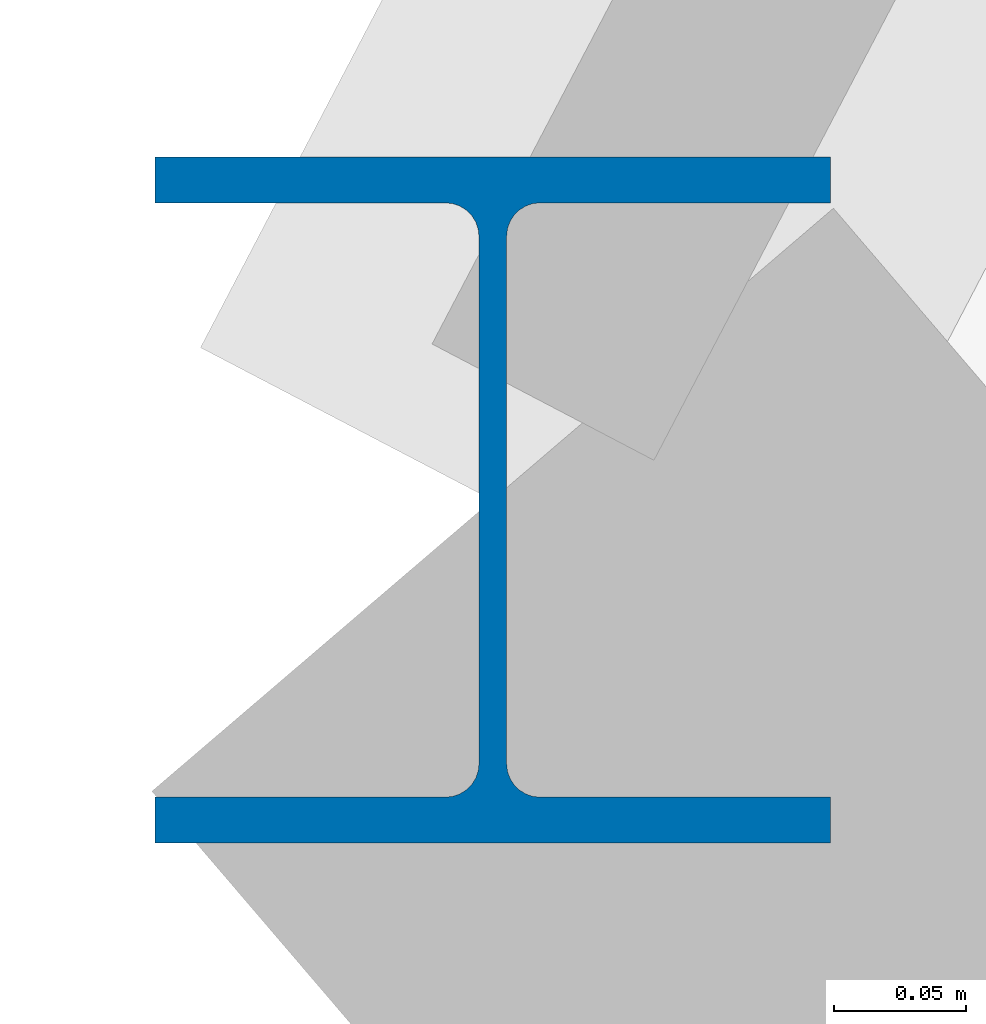
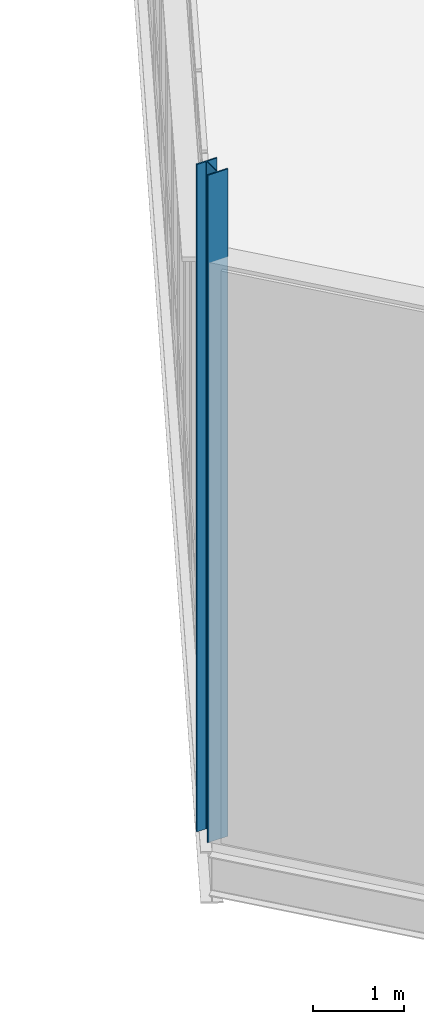
# One storey, part 3 of 66: 1 column.
"""IFC4 building model written with IfcOpenShell, lengths in metres."""

import ifcopenshell
import ifcopenshell.guid

model = None  # the IFC model being written
_history = None  # IfcOwnerHistory: only IFC2X3 demands one
_inside = {}  # id of a spatial element -> (the spatial element, [elements in it])
_under = {}  # id of a project, library or spatial element -> (it, [spatial elements below it])
_declared = {}  # id of a project -> (the project, [libraries it declares])
_typed = {}  # id of a type object -> (the type object, [elements of that type])
_made_of = {}  # id of a material, layer set ... -> (it, [elements and type objects made of it])


def new_model(schema):
    """Start an empty IFC model of exactly this schema.

    Asked for "IFC4X3", IfcOpenShell would pick the latest addendum, in which some entities
    have other attributes; the version numbers below select the first issue.
    IFC2X3 requires an IfcOwnerHistory on every rooted entity: one is made here for all.
    """
    global model, _history
    if schema == "IFC4X3":
        model = ifcopenshell.file(schema_version=(4, 3, 0, 0))
    else:
        model = ifcopenshell.file(schema=schema)
    _inside.clear()
    _under.clear()
    _declared.clear()
    _typed.clear()
    _made_of.clear()
    _history = None
    if model.schema == "IFC2X3":
        org = make("IfcOrganization", Name="unknown")
        user = make(
            "IfcPersonAndOrganization",
            ThePerson=make("IfcPerson", FamilyName="unknown"),
            TheOrganization=org,
        )
        app = make(
            "IfcApplication",
            ApplicationDeveloper=org,
            Version="unknown",
            ApplicationFullName="unknown",
            ApplicationIdentifier="unknown",
        )
        _history = make(
            "IfcOwnerHistory",
            OwningUser=user,
            OwningApplication=app,
            ChangeAction="ADDED",
            CreationDate=0,
        )
    return model


def make(cls, **values):
    """One entity of the class cls with the attributes given. An attribute that is None is left unset."""
    return model.create_entity(
        cls, **{name: value for name, value in values.items() if value is not None}
    )


def rooted(cls, **values):
    """An entity with a GlobalId (a new one), such as an element, a storey or a relation."""
    return make(cls, GlobalId=ifcopenshell.guid.new(), OwnerHistory=_history, **values)


def si_unit(unit_type, name, prefix=None):
    """IfcSIUnit, for example si_unit("LENGTHUNIT", "METRE", prefix="MILLI")."""
    return make("IfcSIUnit", UnitType=unit_type, Prefix=prefix, Name=name)


def assignment(units):
    """IfcUnitAssignment: the units of a project."""
    return None if units is None else make("IfcUnitAssignment", Units=units)


def point(xyz):
    """IfcCartesianPoint."""
    return None if xyz is None else make("IfcCartesianPoint", Coordinates=xyz)


def direction(xyz):
    """IfcDirection."""
    return None if xyz is None else make("IfcDirection", DirectionRatios=xyz)


def frame(location, z_axis=None, x_axis=None):
    """IfcAxis2Placement3D, a coordinate frame: its origin and axes. An axis left out is left unset."""
    return make(
        "IfcAxis2Placement3D",
        Location=point(location),
        Axis=direction(z_axis),
        RefDirection=direction(x_axis),
    )


def frame_2d(location, x_axis=None):
    """IfcAxis2Placement2D, a coordinate frame in the plane: its origin and x axis."""
    return make(
        "IfcAxis2Placement2D", Location=point(location), RefDirection=direction(x_axis)
    )


def origin():
    """The frame at (0, 0, 0) with its axes left unset."""
    return frame((0.0, 0.0, 0.0))


def origin_2d():
    """The frame at (0, 0) in the plane with its x axis left unset."""
    return frame_2d((0.0, 0.0))


def place(relative_to, where):
    """IfcLocalPlacement: puts the frame where relative to a parent placement (None: the world)."""
    return make(
        "IfcLocalPlacement", PlacementRelTo=relative_to, RelativePlacement=where
    )


def context(
    kind, dimensions, precision=None, world=None, true_north=None, identifier=None
):
    """IfcGeometricRepresentationContext, for example the 3D "Model" context."""
    return make(
        "IfcGeometricRepresentationContext",
        ContextIdentifier=identifier,
        ContextType=kind,
        CoordinateSpaceDimension=dimensions,
        Precision=precision,
        WorldCoordinateSystem=world,
        TrueNorth=true_north,
    )


def subcontext(parent, identifier, kind, view, scale=None):
    """IfcGeometricRepresentationSubContext, for example "Body" below "Model"."""
    return make(
        "IfcGeometricRepresentationSubContext",
        ContextIdentifier=identifier,
        ContextType=kind,
        ParentContext=parent,
        TargetScale=scale,
        TargetView=view,
    )


def project(units=None, contexts=None):
    """IfcProject with its units and contexts."""
    return rooted(
        "IfcProject",
        Name="project",
        RepresentationContexts=contexts,
        UnitsInContext=assignment(units),
    )


def spatial(cls, under=None, at=None, **own):
    """A site, building, storey or space (cls), placed at a placement, below another one or the project."""
    s = rooted(cls, ObjectPlacement=at, **own)
    if under is not None:
        _under.setdefault(under.id(), (under, []))[1].append(s)
    return s


def profile(cls, at=None, kind="AREA", **sizes):
    """A parametric profile (cls). Its sizes go by their IFC names, for example OverallWidth=200.0."""
    return make(cls, ProfileType=kind, Position=at, **sizes)


def i_section(**sizes):
    """IfcIShapeProfileDef."""
    return profile("IfcIShapeProfileDef", **sizes)


def extrude(swept, where, along, depth):
    """IfcExtrudedAreaSolid: the profile swept, set in the frame where, extruded along a direction by depth."""
    return make(
        "IfcExtrudedAreaSolid",
        SweptArea=swept,
        Position=where,
        ExtrudedDirection=direction(along),
        Depth=depth,
    )


def shape(context_of_items, identifier, shape_type, items):
    """IfcShapeRepresentation: the items that make up one representation, for example the "Body"."""
    return make(
        "IfcShapeRepresentation",
        ContextOfItems=context_of_items,
        RepresentationIdentifier=identifier,
        RepresentationType=shape_type,
        Items=items,
    )


def material(Name=None, Category=None):
    """IfcMaterial."""
    return make("IfcMaterial", Name=Name, Category=Category)


def material_profile(
    of_material, cross_section, Name=None, Category=None, Priority=None
):
    """IfcMaterialProfile: a cross section and its material."""
    return make(
        "IfcMaterialProfile",
        Name=Name,
        Material=of_material,
        Profile=cross_section,
        Priority=Priority,
        Category=Category,
    )


def profile_set(profiles, Name=None, composite=None):
    """IfcMaterialProfileSet."""
    return make(
        "IfcMaterialProfileSet",
        Name=Name,
        MaterialProfiles=profiles,
        CompositeProfile=composite,
    )


def made_of(thing, what):
    """Note that an element or type object is made of a material, layer set ...; save() writes the relation."""
    if what is not None:
        _made_of.setdefault(what.id(), (what, []))[1].append(thing)
    return thing


def type_object(cls, material=None, **own):
    """A type object (cls), such as IfcWallType, which elements share."""
    return made_of(rooted(cls, **own), material)


def element(
    cls,
    number,
    at=None,
    inside=None,
    cuts=None,
    type_object=None,
    material=None,
    context=None,
    identifier="Body",
    shape_type=None,
    held_by="IfcProductDefinitionShape",
    body=None,
    shapes=None,
    **own,
):
    """One element of the class cls, such as IfcWall. Its Tag is "e" and its number.

    at: its placement. inside: the storey or other place that contains it. cuts: it is an
    opening in that element (IfcRelVoidsElement). A single representation is given by context,
    identifier, shape_type and body (its items); several are given by shapes. held_by: the class
    of the entity that holds the representations. save() writes the other relations.
    """
    e = rooted(cls, Tag="e%d" % number, ObjectPlacement=at, **own)
    if body is not None:
        shapes = [shape(context, identifier, shape_type, body)]
    if shapes is not None:
        e.Representation = make(held_by, Representations=shapes)
    if inside is not None:
        _inside.setdefault(inside.id(), (inside, []))[1].append(e)
    if cuts is not None:
        rooted(
            "IfcRelVoidsElement", RelatingBuildingElement=cuts, RelatedOpeningElement=e
        )
    if type_object is not None:
        _typed.setdefault(type_object.id(), (type_object, []))[1].append(e)
    return made_of(e, material)


def aggregate(whole, parts):
    """IfcRelAggregates: a whole, such as a stair, and the parts it consists of."""
    return rooted("IfcRelAggregates", RelatingObject=whole, RelatedObjects=parts)


def save(model, path):
    """Write the relations noted so far, then the file.

    IfcRelAggregates (storeys below a building ...), IfcRelContainedInSpatialStructure (elements
    in a storey), IfcRelDefinesByType, IfcRelAssociatesMaterial and IfcRelDeclares: one each for
    every whole, place, type object, material and project.
    """
    for whole, parts in _under.values():
        aggregate(whole, parts)
    for where, things in _inside.values():
        rooted(
            "IfcRelContainedInSpatialStructure",
            RelatedElements=things,
            RelatingStructure=where,
        )
    for kind, things in _typed.values():
        rooted("IfcRelDefinesByType", RelatedObjects=things, RelatingType=kind)
    for what, things in _made_of.values():
        rooted("IfcRelAssociatesMaterial", RelatedObjects=things, RelatingMaterial=what)
    for by, libraries in _declared.values():
        rooted("IfcRelDeclares", RelatingContext=by, RelatedDefinitions=libraries)
    model.write(path)


model = new_model("IFC4")

# Units and contexts
model_context = context("Model", 3, precision=1e-05, world=origin(), true_north=direction((0.0, 1.0)))
body_context = subcontext(model_context, "Body", "Model", "MODEL_VIEW")
ifc_project = project(units=[si_unit("LENGTHUNIT", "METRE"), si_unit("AREAUNIT", "SQUARE_METRE"), si_unit("VOLUMEUNIT", "CUBIC_METRE"), si_unit("PLANEANGLEUNIT", "RADIAN"), si_unit("MASSUNIT", "GRAM", prefix="KILO")], contexts=[model_context])

# Site, building, storey
site_placement = place(None, origin())
site = spatial("IfcSite", under=ifc_project, at=site_placement, CompositionType="ELEMENT")
building_placement = place(site_placement, origin())
building = spatial("IfcBuilding", under=site, at=building_placement, Name="Tameran Prism Museum", CompositionType="ELEMENT")
storey_placement = place(building_placement, frame((0.0, 0.0, 19.800048828125)))
storey = spatial("IfcBuildingStorey", under=building, at=storey_placement, Name="L04", CompositionType="ELEMENT", Elevation=19.800048828125)

# Column
ifc_material = material(Name="Steel Grade 300PLUS (300 MPa)", Category="steel")
ifc_material_profile = material_profile(ifc_material, i_section(OverallWidth=0.256103515625, OverallDepth=0.260009765625, WebThickness=0.010498046875, FlangeThickness=0.017333984375, FilletRadius=0.0126953125, at=origin_2d()))
ifc_profile_set = profile_set([ifc_material_profile])
column_type = type_object("IfcColumnType", Name="COL-UC250A", PredefinedType="COLUMN", material=ifc_profile_set)
column_placement = place(storey_placement, frame((92.89990234375, 78.89990234375, 0.0), z_axis=(0.0, 0.0, 1.0), x_axis=(1.0, 0.0, 0.0)))
element("IfcColumn", 1, at=column_placement, inside=storey, type_object=column_type, Name="Column CV-37 L04", PredefinedType="COLUMN", context=body_context, shape_type="SweptSolid", body=[
    extrude(i_section(OverallWidth=0.256103515625, OverallDepth=0.260009765625, WebThickness=0.010498046875, FlangeThickness=0.017333984375, FilletRadius=0.0126953125, at=origin_2d()), origin(), (0.0, 0.0, 1.0), 9.0),
])

save(model, "model.ifc")
